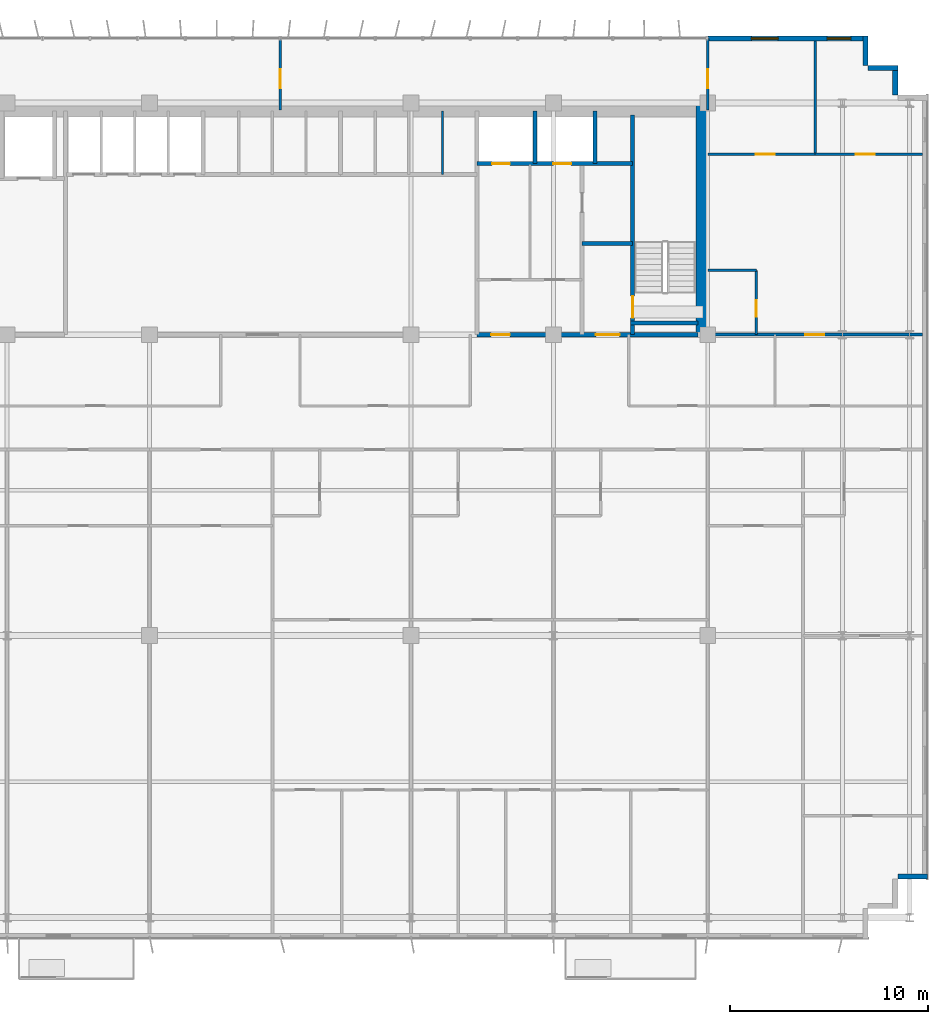
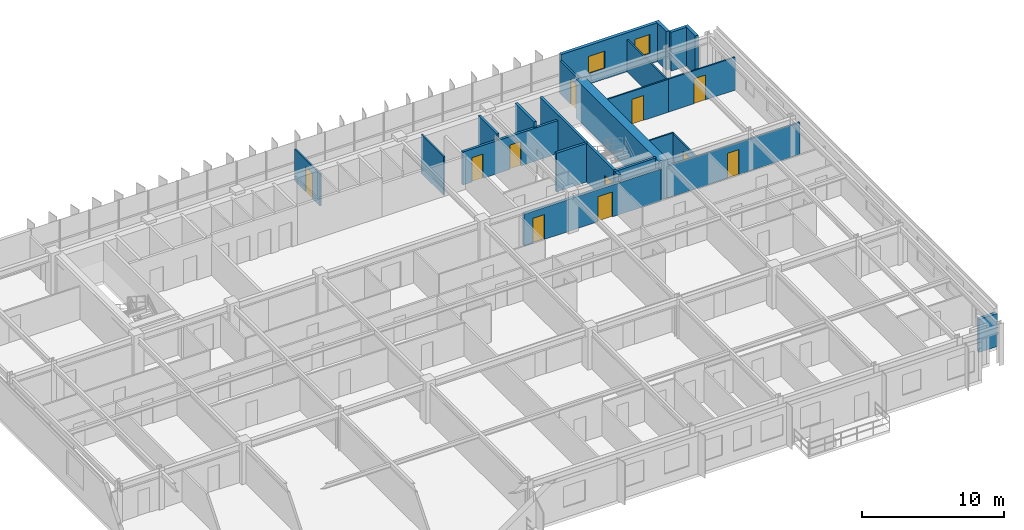
# One storey, part 18 of 22: 22 walls, 11 doors, 2 windows, 13 openings.
"""IFC4 building model written with IfcOpenShell, lengths in metres."""

from ifc_helpers import new_model, si_unit, direction, frame, frame_2d, origin, place, context, subcontext, project, spatial, rectangle, extrude, source, transform, mapped, material, layer, layer_set, type_object, element, fill, save


model = new_model("IFC4")

# Units and contexts
model_context = context("Model", 3, precision=1e-05, world=origin(), true_north=direction((0.0, 1.0)))
body_context = subcontext(model_context, "Body", "Model", "MODEL_VIEW")
ifc_project = project(units=[si_unit("LENGTHUNIT", "METRE"), si_unit("AREAUNIT", "SQUARE_METRE"), si_unit("VOLUMEUNIT", "CUBIC_METRE"), si_unit("PLANEANGLEUNIT", "RADIAN"), si_unit("MASSUNIT", "GRAM", prefix="KILO")], contexts=[model_context])

# Site, building, storey
site_placement = place(None, origin())
site = spatial("IfcSite", under=ifc_project, at=site_placement, CompositionType="ELEMENT")
building_placement = place(site_placement, origin())
building = spatial("IfcBuilding", under=site, at=building_placement, Name="Trelvane Seafront Commons", CompositionType="ELEMENT")
storey_placement = place(building_placement, frame((0.0, 0.0, 85.300048828125)))
storey = spatial("IfcBuildingStorey", under=building, at=storey_placement, Name="L21", CompositionType="ELEMENT", Elevation=85.300048828125)

# Wall, openings, windows
ifc_material_1 = material(Name="Precast concrete C40/50", Category="concrete")
ifc_layer_1 = layer(ifc_material_1, 0.260009765625, Name="ARCH-WALL-EXT260")
ifc_layer_set_1 = layer_set([ifc_layer_1], Name="Precast concrete C40/50")
wall_type_1 = type_object("IfcWallType", Name="ARCH-WALL-EXT260", PredefinedType="SOLIDWALL", material=ifc_layer_set_1)
wall_1_placement = place(storey_placement, frame((58.800048828125, 48.3701171875, 0.0), z_axis=(0.0, 0.0, 1.0), x_axis=(1.0, 0.0, 0.0)))
wall_1 = element("IfcWall", 1, at=wall_1_placement, inside=storey, type_object=wall_type_1, Name="EW-L21-NE-0371", PredefinedType="SOLIDWALL", context=body_context, shape_type="SweptSolid", body=[
    extrude(rectangle(XDim=8.0, YDim=0.260009765625, at=frame_2d((4.0, 0.0))), origin(), (0.0, 0.0, 1.0), 3.33984375),
])
opening_1_placement = place(wall_1_placement, frame((2.208984375, 0.0, 0.89990234375)))
opening_1 = element("IfcOpeningElement", 2, at=opening_1_placement, cuts=wall_1, Name="Opening W09", PredefinedType="OPENING", context=body_context, shape_type="SweptSolid", body=[
    extrude(rectangle(XDim=1.35009765625, YDim=1.5, at=frame_2d((0.675048828125, 0.75))), frame((0.0, 0.139892578125, 0.0), z_axis=(0.0, -1.0, 0.0), x_axis=(1.0, 0.0, 0.0)), (0.0, 0.0, 1.0), 0.280029296875),
])
opening_2_placement = place(wall_1_placement, frame((6.032958984375, 0.0, 0.89990234375)))
opening_2 = element("IfcOpeningElement", 3, at=opening_2_placement, cuts=wall_1, Name="Opening W05", PredefinedType="OPENING", context=body_context, shape_type="SweptSolid", body=[
    extrude(rectangle(XDim=1.199951171875, YDim=1.64990234375, at=frame_2d((0.60009765625, 0.824951171875))), frame((0.0, 0.139892578125, 0.0), z_axis=(0.0, -1.0, 0.0), x_axis=(1.0, 0.0, 0.0)), (0.0, 0.0, 1.0), 0.280029296875),
])
ifc_material_2 = material(Name="Low-E coastal double glazing", Category="glass")
window_type_1 = type_object("IfcWindowType", Name="ARCH-WIN-W09", PartitioningType="SINGLE_PANEL", PredefinedType="WINDOW", material=ifc_material_2)
shared_shape_1 = source(origin(), body_context, "Body", "SweptSolid", [
    extrude(rectangle(XDim=1.35009765625, YDim=1.5, at=frame_2d((0.675048828125, 0.75))), frame((0.0, 0.030029296875, 0.0), z_axis=(0.0, -1.0, 0.0), x_axis=(1.0, 0.0, 0.0)), (0.0, 0.0, 1.0), 0.06005859375),
])
window_1_placement = place(opening_1_placement, origin())
window_1 = element("IfcWindow", 4, at=window_1_placement, inside=storey, type_object=window_type_1, Name="WIN-L21-00423", OverallHeight=1.5, OverallWidth=1.35009765625, PartitioningType="SINGLE_PANEL", PredefinedType="WINDOW", context=body_context, shape_type="MappedRepresentation", body=[
    mapped(shared_shape_1, transform((0.0, 0.0, 0.0), x_axis=(1.0, 0.0, 0.0), y_axis=(0.0, 1.0, 0.0), z_axis=(0.0, 0.0, 1.0), scale=1.0)),
])
fill(opening_1, window_1)
window_type_2 = type_object("IfcWindowType", Name="ARCH-WIN-W05", PartitioningType="SINGLE_PANEL", PredefinedType="WINDOW", material=ifc_material_2)
shared_shape_2 = source(origin(), body_context, "Body", "SweptSolid", [
    extrude(rectangle(XDim=1.199951171875, YDim=1.64990234375, at=frame_2d((0.60009765625, 0.824951171875))), frame((0.0, 0.030029296875, 0.0), z_axis=(0.0, -1.0, 0.0), x_axis=(1.0, 0.0, 0.0)), (0.0, 0.0, 1.0), 0.06005859375),
])
window_2_placement = place(opening_2_placement, origin())
window_2 = element("IfcWindow", 5, at=window_2_placement, inside=storey, type_object=window_type_2, Name="WIN-L21-00424", OverallHeight=1.64990234375, OverallWidth=1.199951171875, PartitioningType="SINGLE_PANEL", PredefinedType="WINDOW", context=body_context, shape_type="MappedRepresentation", body=[
    mapped(shared_shape_2, transform((0.0, 0.0, 0.0), x_axis=(1.0, 0.0, 0.0), y_axis=(0.0, 1.0, 0.0), z_axis=(0.0, 0.0, 1.0), scale=1.0)),
])
fill(opening_2, window_2)

# Walls
for number, where, z_axis, x_axis, name in (
    (6, (66.77001953125, 48.5, 0.0), (0.0, 0.0, 1.0), (0.0, -1.0, 0.0), "EW-L21-00380"),
    (7, (66.89990234375, 46.8701171875, 0.0), (0.0, 0.0, 1.0), (1.0, 0.0, 0.0), "EW-L21-00381"),
    (8, (68.27001953125, 47.0, 0.0), (0.0, 0.0, 1.0), (0.0, -1.0, 0.0), "EW-L21-00382"),
):
    element("IfcWall", number, at=place(storey_placement, frame(where, z_axis=z_axis, x_axis=x_axis)), inside=storey, type_object=wall_type_1, Name=name, PredefinedType="SOLIDWALL", context=body_context, shape_type="SweptSolid", body=[
        extrude(rectangle(XDim=1.5, YDim=0.260009765625, at=frame_2d((0.75, 0.0))), origin(), (0.0, 0.0, 1.0), 3.33984375),
    ])
wall_2_placement = place(storey_placement, frame((69.89990234375, 6.030029296875, 0.0), z_axis=(0.0, 0.0, 1.0), x_axis=(-1.0, 0.0, 0.0)))
element("IfcWall", 9, at=wall_2_placement, inside=storey, type_object=wall_type_1, Name="EW-L21-00385", PredefinedType="SOLIDWALL", context=body_context, shape_type="SweptSolid", body=[
    extrude(rectangle(XDim=1.5, YDim=0.260009765625, at=frame_2d((0.75, 0.0))), origin(), (0.0, 0.0, 1.0), 2.83984375),
])
ifc_material_3 = material(Name="Concrete C40/50", Category="concrete")
ifc_layer_2 = layer(ifc_material_3, 0.199951171875, Name="ARCH-WALL-FIRE200")
ifc_layer_set_2 = layer_set([ifc_layer_2], Name="Concrete C40/50")
wall_type_2 = type_object("IfcWallType", Name="ARCH-WALL-FIRE200", PredefinedType="PARTITIONING", material=ifc_layer_set_2)
wall_3_placement = place(storey_placement, frame((52.449951171875, 38.0, 0.0), z_axis=(0.0, 0.0, 1.0), x_axis=(1.0, 0.0, 0.0)))
element("IfcWall", 10, at=wall_3_placement, inside=storey, type_object=wall_type_2, Name="W-L21-ST2V-N-034", PredefinedType="PARTITIONING", context=body_context, shape_type="SweptSolid", body=[
    extrude(rectangle(XDim=2.550048828125, YDim=0.199951171875, at=frame_2d((1.27490234375, 0.0))), origin(), (0.0, 0.0, 1.0), 3.33984375),
])

# Wall, openings, doors
ifc_layer_3 = layer(ifc_material_3, 0.25, Name="ARCH-WALL-FIRE250")
ifc_layer_set_3 = layer_set([ifc_layer_3], Name="Concrete C40/50")
wall_type_3 = type_object("IfcWallType", Name="ARCH-WALL-FIRE250", PredefinedType="PARTITIONING", material=ifc_layer_set_3)
wall_4_placement = place(storey_placement, frame((47.14990234375, 33.39990234375, 0.0), z_axis=(0.0, 0.0, 1.0), x_axis=(1.0, 0.0, 0.0)))
wall_4 = element("IfcWall", 11, at=wall_4_placement, inside=storey, type_object=wall_type_3, Name="W-L21-CS-EAST-037", PredefinedType="PARTITIONING", context=body_context, shape_type="SweptSolid", body=[
    extrude(rectangle(XDim=11.150146484375, YDim=0.25, at=frame_2d((5.5751953125, 0.0))), origin(), (0.0, 0.0, 1.0), 2.751953125),
])
opening_3_placement = place(wall_4_placement, frame((0.699951171875, 0.0, 0.0)))
opening_3 = element("IfcOpeningElement", 12, at=opening_3_placement, cuts=wall_4, Name="Opening FD-L21-16", PredefinedType="OPENING", context=body_context, shape_type="SweptSolid", body=[
    extrude(rectangle(XDim=0.949951171875, YDim=2.14990234375, at=frame_2d((0.47509765625, 1.074951171875))), frame((0.0, 0.135009765625, 0.0), z_axis=(0.0, -1.0, 0.0), x_axis=(1.0, 0.0, 0.0)), (0.0, 0.0, 1.0), 0.27001953125),
])
opening_4_placement = place(wall_4_placement, frame((6.0, 0.0, 0.0)))
opening_4 = element("IfcOpeningElement", 13, at=opening_4_placement, cuts=wall_4, Name="Opening FD-L21-17", PredefinedType="OPENING", context=body_context, shape_type="SweptSolid", body=[
    extrude(rectangle(XDim=1.199951171875, YDim=2.14990234375, at=frame_2d((0.60009765625, 1.074951171875))), frame((0.0, 0.135009765625, 0.0), z_axis=(0.0, -1.0, 0.0), x_axis=(1.0, 0.0, 0.0)), (0.0, 0.0, 1.0), 0.27001953125),
])
ifc_material_4 = material(Name="Powder-coated aluminium frame", Category="aluminium")
door_type_1 = type_object("IfcDoorType", Name="ARCH-DR-FD60-950", OperationType="NOTDEFINED", PredefinedType="DOOR", material=ifc_material_4)
shared_shape_3 = source(origin(), body_context, "Body", "SweptSolid", [
    extrude(rectangle(XDim=0.949951171875, YDim=2.14990234375, at=frame_2d((0.47509765625, 1.074951171875))), frame((0.0, 0.02490234375, 0.0), z_axis=(0.0, -1.0, 0.0), x_axis=(1.0, 0.0, 0.0)), (0.0, 0.0, 1.0), 0.050048828125),
])
door_1_placement = place(opening_3_placement, origin())
door_1 = element("IfcDoor", 14, at=door_1_placement, inside=storey, type_object=door_type_1, Name="L21 Core Service Lobby Door", OperationType="SINGLE_SWING_RIGHT", OverallHeight=2.14990234375, OverallWidth=0.949951171875, PredefinedType="DOOR", context=body_context, shape_type="MappedRepresentation", body=[
    mapped(shared_shape_3, transform((0.0, 0.0, 0.0), x_axis=(1.0, 0.0, 0.0), y_axis=(0.0, 1.0, 0.0), z_axis=(0.0, 0.0, 1.0), scale=1.0)),
])
fill(opening_3, door_1)
door_type_2 = type_object("IfcDoorType", Name="ARCH-DR-FD60-1200", OperationType="NOTDEFINED", PredefinedType="DOOR", material=ifc_material_4)
shared_shape_4 = source(origin(), body_context, "Body", "SweptSolid", [
    extrude(rectangle(XDim=1.199951171875, YDim=2.14990234375, at=frame_2d((0.60009765625, 1.074951171875))), frame((0.0, 0.02490234375, 0.0), z_axis=(0.0, -1.0, 0.0), x_axis=(1.0, 0.0, 0.0)), (0.0, 0.0, 1.0), 0.050048828125),
])
door_2_placement = place(opening_4_placement, origin())
door_2 = element("IfcDoor", 15, at=door_2_placement, inside=storey, type_object=door_type_2, Name="L21 East Stair Vestibule Fire Door", OperationType="SINGLE_SWING_LEFT", OverallHeight=2.14990234375, OverallWidth=1.199951171875, PredefinedType="DOOR", context=body_context, shape_type="MappedRepresentation", body=[
    mapped(shared_shape_4, transform((0.0, 0.0, 0.0), x_axis=(1.0, 0.0, 0.0), y_axis=(0.0, 1.0, 0.0), z_axis=(0.0, 0.0, 1.0), scale=1.0)),
])
fill(opening_4, door_2)

# Wall
ifc_material_5 = material(Name="Gypsum Drywall Acoustic Partition")
ifc_layer_4 = layer(ifc_material_5, 0.1201171875, Name="ARCH-WALL-PART120")
ifc_layer_set_4 = layer_set([ifc_layer_4], Name="Gypsum Drywall Acoustic Partition")
wall_type_4 = type_object("IfcWallType", Name="ARCH-WALL-PART120", PredefinedType="PARTITIONING", material=ifc_layer_set_4)
wall_5_placement = place(storey_placement, frame((45.39990234375, 41.5, 0.0), z_axis=(0.0, 0.0, 1.0), x_axis=(0.0, 1.0, 0.0)))
element("IfcWall", 16, at=wall_5_placement, inside=storey, type_object=wall_type_4, Name="W-L21-PH-DIV3-027", PredefinedType="PARTITIONING", context=body_context, shape_type="SweptSolid", body=[
    extrude(rectangle(XDim=3.199951171875, YDim=0.1201171875, at=frame_2d((1.60009765625, 0.0))), origin(), (0.0, 0.0, 1.0), 3.33984375),
])

# Wall, opening, door
wall_6_placement = place(storey_placement, frame((61.25, 33.39990234375, 0.0), z_axis=(0.0, 0.0, 1.0), x_axis=(0.0, 1.0, 0.0)))
wall_6 = element("IfcWall", 17, at=wall_6_placement, inside=storey, type_object=wall_type_4, Name="W-L21-NE-BE-051", PredefinedType="PARTITIONING", context=body_context, shape_type="SweptSolid", body=[
    extrude(rectangle(XDim=3.25, YDim=0.1201171875, at=frame_2d((1.625, 0.0))), origin(), (0.0, 0.0, 1.0), 2.751953125),
])
opening_5_placement = place(wall_6_placement, frame((0.89990234375, 0.0, 0.0)))
opening_5 = element("IfcOpeningElement", 18, at=opening_5_placement, cuts=wall_6, Name="Opening D-L21-25", PredefinedType="OPENING", context=body_context, shape_type="SweptSolid", body=[
    extrude(rectangle(XDim=0.85009765625, YDim=2.10009765625, at=frame_2d((0.425048828125, 1.050048828125))), frame((0.0, 0.070068359375, 0.0), z_axis=(0.0, -1.0, 0.0), x_axis=(1.0, 0.0, 0.0)), (0.0, 0.0, 1.0), 0.14013671875),
])
ifc_material_6 = material(Name="Acoustic timber door leaf", Category="wood")
door_type_3 = type_object("IfcDoorType", Name="ARCH-DR-INT850", OperationType="NOTDEFINED", PredefinedType="DOOR", material=ifc_material_6)
shared_shape_5 = source(origin(), body_context, "Body", "SweptSolid", [
    extrude(rectangle(XDim=0.85009765625, YDim=2.10009765625, at=frame_2d((0.425048828125, 1.050048828125))), frame((0.0, 0.02490234375, 0.0), z_axis=(0.0, -1.0, 0.0), x_axis=(1.0, 0.0, 0.0)), (0.0, 0.0, 1.0), 0.050048828125),
])
door_3_placement = place(opening_5_placement, origin())
door_3 = element("IfcDoor", 19, at=door_3_placement, inside=storey, type_object=door_type_3, Name="L21 Door 25", OperationType="SINGLE_SWING_LEFT", OverallHeight=2.10009765625, OverallWidth=0.85009765625, PredefinedType="DOOR", context=body_context, shape_type="MappedRepresentation", body=[
    mapped(shared_shape_5, transform((0.0, 0.0, 0.0), x_axis=(1.0, 0.0, 0.0), y_axis=(0.0, 1.0, 0.0), z_axis=(0.0, 0.0, 1.0), scale=1.0)),
])
fill(opening_5, door_3)

# Wall
wall_7_placement = place(storey_placement, frame((58.800048828125, 36.64990234375, 0.0), z_axis=(0.0, 0.0, 1.0), x_axis=(1.0, 0.0, 0.0)))
element("IfcWall", 20, at=wall_7_placement, inside=storey, type_object=wall_type_4, Name="W-L21-NE-BN-052", PredefinedType="PARTITIONING", context=body_context, shape_type="SweptSolid", body=[
    extrude(rectangle(XDim=2.449951171875, YDim=0.1201171875, at=frame_2d((1.22509765625, 0.0))), origin(), (0.0, 0.0, 1.0), 2.83984375),
])

# Wall, opening, door
wall_8_placement = place(storey_placement, frame((58.800048828125, 42.52001953125, 0.0), z_axis=(0.0, 0.0, 1.0), x_axis=(1.0, 0.0, 0.0)))
wall_8 = element("IfcWall", 21, at=wall_8_placement, inside=storey, type_object=wall_type_4, Name="W-L21-NE-KB1-053", PredefinedType="PARTITIONING", context=body_context, shape_type="SweptSolid", body=[
    extrude(rectangle(XDim=5.425048828125, YDim=0.1201171875, at=frame_2d((2.71240234375, 0.0))), origin(), (0.0, 0.0, 1.0), 2.83984375),
])
opening_6_placement = place(wall_8_placement, frame((2.423095703125, 0.0, 0.0)))
opening_6 = element("IfcOpeningElement", 22, at=opening_6_placement, cuts=wall_8, Name="Opening D-L21-26", PredefinedType="OPENING", context=body_context, shape_type="SweptSolid", body=[
    extrude(rectangle(XDim=0.949951171875, YDim=2.14990234375, at=frame_2d((0.47509765625, 1.074951171875))), frame((0.0, 0.070068359375, 0.0), z_axis=(0.0, -1.0, 0.0), x_axis=(1.0, 0.0, 0.0)), (0.0, 0.0, 1.0), 0.14013671875),
])
door_type_4 = type_object("IfcDoorType", Name="ARCH-DR-INT950", OperationType="NOTDEFINED", PredefinedType="DOOR", material=ifc_material_6)
door_4_placement = place(opening_6_placement, origin())
door_4 = element("IfcDoor", 23, at=door_4_placement, inside=storey, type_object=door_type_4, Name="L21 Door 26", OperationType="SINGLE_SWING_RIGHT", OverallHeight=2.14990234375, OverallWidth=0.949951171875, PredefinedType="DOOR", context=body_context, shape_type="MappedRepresentation", body=[
    mapped(shared_shape_3, transform((0.0, 0.0, 0.0), x_axis=(1.0, 0.0, 0.0), y_axis=(0.0, 1.0, 0.0), z_axis=(0.0, 0.0, 1.0), scale=1.0)),
])
fill(opening_6, door_4)

wall_9_placement = place(storey_placement, frame((64.22509765625, 42.52001953125, 0.0), z_axis=(0.0, 0.0, 1.0), x_axis=(1.0, 0.0, 0.0)))
wall_9 = element("IfcWall", 24, at=wall_9_placement, inside=storey, type_object=wall_type_4, Name="W-L21-NE-KB2-054", PredefinedType="PARTITIONING", context=body_context, shape_type="SweptSolid", body=[
    extrude(rectangle(XDim=5.4248046875, YDim=0.1201171875, at=frame_2d((2.71240234375, 0.0))), origin(), (0.0, 0.0, 1.0), 2.83984375),
])
opening_7_placement = place(wall_9_placement, frame((2.052001953125, 0.0, 0.0)))
opening_7 = element("IfcOpeningElement", 25, at=opening_7_placement, cuts=wall_9, Name="Opening D-L21-27", PredefinedType="OPENING", context=body_context, shape_type="SweptSolid", body=[
    extrude(rectangle(XDim=0.949951171875, YDim=2.14990234375, at=frame_2d((0.47509765625, 1.074951171875))), frame((0.0, 0.070068359375, 0.0), z_axis=(0.0, -1.0, 0.0), x_axis=(1.0, 0.0, 0.0)), (0.0, 0.0, 1.0), 0.14013671875),
])
door_5_placement = place(opening_7_placement, origin())
door_5 = element("IfcDoor", 26, at=door_5_placement, inside=storey, type_object=door_type_4, Name="L21 Door 27", OperationType="SINGLE_SWING_LEFT", OverallHeight=2.14990234375, OverallWidth=0.949951171875, PredefinedType="DOOR", context=body_context, shape_type="MappedRepresentation", body=[
    mapped(shared_shape_3, transform((0.0, 0.0, 0.0), x_axis=(1.0, 0.0, 0.0), y_axis=(0.0, 1.0, 0.0), z_axis=(0.0, 0.0, 1.0), scale=1.0)),
])
fill(opening_7, door_5)

# Wall
wall_10_placement = place(storey_placement, frame((64.22509765625, 42.52001953125, 0.0), z_axis=(0.0, 0.0, 1.0), x_axis=(0.0, 1.0, 0.0)))
element("IfcWall", 27, at=wall_10_placement, inside=storey, type_object=wall_type_4, Name="W-L21-NE-KBDV-055", PredefinedType="PARTITIONING", context=body_context, shape_type="SweptSolid", body=[
    extrude(rectangle(XDim=5.719970703125, YDim=0.1201171875, at=frame_2d((2.85986328125, 0.0))), origin(), (0.0, 0.0, 1.0), 2.751953125),
])

# Wall, opening, door
wall_11_placement = place(storey_placement, frame((37.199951171875, 44.75, 0.0), z_axis=(0.0, 0.0, 1.0), x_axis=(0.0, 1.0, 0.0)))
wall_11 = element("IfcWall", 28, at=wall_11_placement, inside=storey, type_object=wall_type_4, Name="W-L21-N-MID-DV-057", PredefinedType="PARTITIONING", context=body_context, shape_type="SweptSolid", body=[
    extrude(rectangle(XDim=3.610107421875, YDim=0.1201171875, at=frame_2d((1.80517578125, 0.0))), origin(), (0.0, 0.0, 1.0), 2.751953125),
])
opening_8_placement = place(wall_11_placement, frame((1.10009765625, 0.0, 0.0)))
opening_8 = element("IfcOpeningElement", 29, at=opening_8_placement, cuts=wall_11, Name="Opening D-L21-29", PredefinedType="OPENING", context=body_context, shape_type="SweptSolid", body=[
    extrude(rectangle(XDim=0.949951171875, YDim=2.14990234375, at=frame_2d((0.47509765625, 1.074951171875))), frame((0.0, 0.070068359375, 0.0), z_axis=(0.0, -1.0, 0.0), x_axis=(1.0, 0.0, 0.0)), (0.0, 0.0, 1.0), 0.14013671875),
])
door_6_placement = place(opening_8_placement, origin())
door_6 = element("IfcDoor", 30, at=door_6_placement, inside=storey, type_object=door_type_4, Name="L21 Door 29", OperationType="SINGLE_SWING_LEFT", OverallHeight=2.14990234375, OverallWidth=0.949951171875, PredefinedType="DOOR", context=body_context, shape_type="MappedRepresentation", body=[
    mapped(shared_shape_3, transform((0.0, 0.0, 0.0), x_axis=(1.0, 0.0, 0.0), y_axis=(0.0, 1.0, 0.0), z_axis=(0.0, 0.0, 1.0), scale=1.0)),
])
fill(opening_8, door_6)

ifc_layer_5 = layer(ifc_material_5, 0.14990234375, Name="ARCH-WALL-PART150")
ifc_layer_set_5 = layer_set([ifc_layer_5], Name="Gypsum Drywall Acoustic Partition")
wall_type_5 = type_object("IfcWallType", Name="ARCH-WALL-PART150", PredefinedType="PARTITIONING", material=ifc_layer_set_5)
wall_12_placement = place(storey_placement, frame((58.800048828125, 33.39990234375, 0.0), z_axis=(0.0, 0.0, 1.0), x_axis=(1.0, 0.0, 0.0)))
wall_12 = element("IfcWall", 31, at=wall_12_placement, inside=storey, type_object=wall_type_5, Name="W-L21-NE-ENT-056", PredefinedType="PARTITIONING", context=body_context, shape_type="SweptSolid", body=[
    extrude(rectangle(XDim=10.849853515625, YDim=0.14990234375, at=frame_2d((5.4248046875, 0.0))), origin(), (0.0, 0.0, 1.0), 2.751953125),
])
opening_9_placement = place(wall_12_placement, frame((4.93310546875, 0.0, 0.0)))
opening_9 = element("IfcOpeningElement", 32, at=opening_9_placement, cuts=wall_12, Name="Opening FD-L21-28", PredefinedType="OPENING", context=body_context, shape_type="SweptSolid", body=[
    extrude(rectangle(XDim=0.949951171875, YDim=2.14990234375, at=frame_2d((0.47509765625, 1.074951171875))), frame((0.0, 0.0849609375, 0.0), z_axis=(0.0, -1.0, 0.0), x_axis=(1.0, 0.0, 0.0)), (0.0, 0.0, 1.0), 0.169921875),
])
door_7_placement = place(opening_9_placement, origin())
door_7 = element("IfcDoor", 33, at=door_7_placement, inside=storey, type_object=door_type_1, Name="L21 NE Flat Entrance Door", OperationType="SINGLE_SWING_RIGHT", OverallHeight=2.14990234375, OverallWidth=0.949951171875, PredefinedType="DOOR", context=body_context, shape_type="MappedRepresentation", body=[
    mapped(shared_shape_3, transform((0.0, 0.0, 0.0), x_axis=(1.0, 0.0, 0.0), y_axis=(0.0, 1.0, 0.0), z_axis=(0.0, 0.0, 1.0), scale=1.0)),
])
fill(opening_9, door_7)

wall_13_placement = place(storey_placement, frame((58.800048828125, 44.75, 0.0), z_axis=(0.0, 0.0, 1.0), x_axis=(0.0, 1.0, 0.0)))
wall_13 = element("IfcWall", 34, at=wall_13_placement, inside=storey, type_object=wall_type_5, Name="W-L21-N-LINK-E-059", PredefinedType="PARTITIONING", context=body_context, shape_type="SweptSolid", body=[
    extrude(rectangle(XDim=3.610107421875, YDim=0.14990234375, at=frame_2d((1.80517578125, 0.0))), origin(), (0.0, 0.0, 1.0), 2.83984375),
])
opening_10_placement = place(wall_13_placement, frame((1.10009765625, 0.0, 0.0)))
opening_10 = element("IfcOpeningElement", 35, at=opening_10_placement, cuts=wall_13, Name="Opening FD-L21-31", PredefinedType="OPENING", context=body_context, shape_type="SweptSolid", body=[
    extrude(rectangle(XDim=0.949951171875, YDim=2.14990234375, at=frame_2d((0.47509765625, 1.074951171875))), frame((0.0, 0.0849609375, 0.0), z_axis=(0.0, -1.0, 0.0), x_axis=(1.0, 0.0, 0.0)), (0.0, 0.0, 1.0), 0.169921875),
])
door_8_placement = place(opening_10_placement, origin())
door_8 = element("IfcDoor", 36, at=door_8_placement, inside=storey, type_object=door_type_1, Name="L21 Door 31", OperationType="SINGLE_SWING_LEFT", OverallHeight=2.14990234375, OverallWidth=0.949951171875, PredefinedType="DOOR", context=body_context, shape_type="MappedRepresentation", body=[
    mapped(shared_shape_3, transform((0.0, 0.0, 0.0), x_axis=(1.0, 0.0, 0.0), y_axis=(0.0, 1.0, 0.0), z_axis=(0.0, 0.0, 1.0), scale=1.0)),
])
fill(opening_10, door_8)

# Wall, openings, doors
ifc_layer_6 = layer(ifc_material_3, 0.199951171875, Name="ARCH-WALL-SHAFT200")
ifc_layer_set_6 = layer_set([ifc_layer_6], Name="Concrete C40/50")
wall_type_6 = type_object("IfcWallType", Name="ARCH-WALL-SHAFT200", PredefinedType="SOLIDWALL", material=ifc_layer_set_6)
wall_14_placement = place(storey_placement, frame((47.14990234375, 42.050048828125, 0.0), z_axis=(0.0, 0.0, 1.0), x_axis=(1.0, 0.0, 0.0)))
wall_14 = element("IfcWall", 37, at=wall_14_placement, inside=storey, type_object=wall_type_6, Name="W-L21-RSR-S-030", PredefinedType="SOLIDWALL", context=body_context, shape_type="SweptSolid", body=[
    extrude(rectangle(XDim=7.85009765625, YDim=0.199951171875, at=frame_2d((3.925048828125, 0.0))), origin(), (0.0, 0.0, 1.0), 2.83984375),
])
opening_11_placement = place(wall_14_placement, frame((0.75, 0.0, 0.0)))
opening_11 = element("IfcOpeningElement", 38, at=opening_11_placement, cuts=wall_14, Name="Opening FD-L21-11", PredefinedType="OPENING", context=body_context, shape_type="SweptSolid", body=[
    extrude(rectangle(XDim=0.89990234375, YDim=2.10009765625, at=frame_2d((0.449951171875, 1.050048828125))), frame((0.0, 0.10986328125, 0.0), z_axis=(0.0, -1.0, 0.0), x_axis=(1.0, 0.0, 0.0)), (0.0, 0.0, 1.0), 0.219970703125),
])
opening_12_placement = place(wall_14_placement, frame((3.85009765625, 0.0, 0.0)))
opening_12 = element("IfcOpeningElement", 39, at=opening_12_placement, cuts=wall_14, Name="Opening FD-L21-12", PredefinedType="OPENING", context=body_context, shape_type="SweptSolid", body=[
    extrude(rectangle(XDim=0.89990234375, YDim=2.10009765625, at=frame_2d((0.449951171875, 1.050048828125))), frame((0.0, 0.10986328125, 0.0), z_axis=(0.0, -1.0, 0.0), x_axis=(1.0, 0.0, 0.0)), (0.0, 0.0, 1.0), 0.219970703125),
])
door_type_5 = type_object("IfcDoorType", Name="ARCH-DR-FD60-900", OperationType="NOTDEFINED", PredefinedType="DOOR", material=ifc_material_4)
shared_shape_6 = source(origin(), body_context, "Body", "SweptSolid", [
    extrude(rectangle(XDim=0.89990234375, YDim=2.10009765625, at=frame_2d((0.449951171875, 1.050048828125))), frame((0.0, 0.02490234375, 0.0), z_axis=(0.0, -1.0, 0.0), x_axis=(1.0, 0.0, 0.0)), (0.0, 0.0, 1.0), 0.050048828125),
])
door_9_placement = place(opening_11_placement, origin())
door_9 = element("IfcDoor", 40, at=door_9_placement, inside=storey, type_object=door_type_5, Name="L21 Electrical Riser Access Door", OperationType="SINGLE_SWING_LEFT", OverallHeight=2.10009765625, OverallWidth=0.89990234375, PredefinedType="DOOR", context=body_context, shape_type="MappedRepresentation", body=[
    mapped(shared_shape_6, transform((0.0, 0.0, 0.0), x_axis=(1.0, 0.0, 0.0), y_axis=(0.0, 1.0, 0.0), z_axis=(0.0, 0.0, 1.0), scale=1.0)),
])
fill(opening_11, door_9)
door_10_placement = place(opening_12_placement, origin())
door_10 = element("IfcDoor", 41, at=door_10_placement, inside=storey, type_object=door_type_5, Name="L21 Mechanical Riser Access Door", OperationType="SINGLE_SWING_RIGHT", OverallHeight=2.10009765625, OverallWidth=0.89990234375, PredefinedType="DOOR", context=body_context, shape_type="MappedRepresentation", body=[
    mapped(shared_shape_6, transform((0.0, 0.0, 0.0), x_axis=(1.0, 0.0, 0.0), y_axis=(0.0, 1.0, 0.0), z_axis=(0.0, 0.0, 1.0), scale=1.0)),
])
fill(opening_12, door_10)

# Walls
for number, where, z_axis, x_axis, name in (
    (42, (50.080078125, 42.050048828125, 0.0), (0.0, 0.0, 1.0), (0.0, 1.0, 0.0), "W-L21-RSR-DIV-031"),
    (43, (53.10009765625, 42.050048828125, 0.0), (0.0, 0.0, 1.0), (0.0, 1.0, 0.0), "W-L21-RSR-E-032"),
):
    element("IfcWall", number, at=place(storey_placement, frame(where, z_axis=z_axis, x_axis=x_axis)), inside=storey, type_object=wall_type_6, Name=name, PredefinedType="SOLIDWALL", context=body_context, shape_type="SweptSolid", body=[
        extrude(rectangle(XDim=2.64990234375, YDim=0.199951171875, at=frame_2d((1.324951171875, 0.0))), origin(), (0.0, 0.0, 1.0), 3.33984375),
    ])
ifc_material_7 = material(Name="Concrete C60/75", Category="concrete")
ifc_layer_7 = layer(ifc_material_7, 0.699951171875, Name="STR-WALL-CORE700")
ifc_layer_set_7 = layer_set([ifc_layer_7], Name="Concrete C60/75")
wall_type_7 = type_object("IfcWallType", Name="STR-WALL-CORE700", PredefinedType="SHEAR", material=ifc_layer_set_7)
wall_15_placement = place(storey_placement, frame((58.550048828125, 33.39990234375, 0.0), z_axis=(0.0, 0.0, 1.0), x_axis=(0.0, 1.0, 0.0)))
element("IfcWall", 44, at=wall_15_placement, inside=storey, type_object=wall_type_7, Name="W-L21-CE-END-003", PredefinedType="SHEAR", context=body_context, shape_type="SweptSolid", body=[
    extrude(rectangle(XDim=11.7001953125, YDim=0.699951171875, at=frame_2d((5.85009765625, 0.0))), origin(), (0.0, 0.0, 1.0), 3.33984375),
])
ifc_material_8 = material(Name="Concrete C50/60", Category="concrete")
ifc_layer_8 = layer(ifc_material_8, 0.199951171875, Name="STR-WALL-STAIR200")
ifc_layer_set_8 = layer_set([ifc_layer_8], Name="Concrete C50/60")
wall_type_8 = type_object("IfcWallType", Name="STR-WALL-STAIR200", PredefinedType="SHEAR", material=ifc_layer_set_8)
wall_16_placement = place(storey_placement, frame((54.89990234375, 34.0, 0.0), z_axis=(0.0, 0.0, 1.0), x_axis=(1.0, 0.0, 0.0)))
element("IfcWall", 45, at=wall_16_placement, inside=storey, type_object=wall_type_8, Name="W-L21-ST2-S-006", PredefinedType="SHEAR", context=body_context, shape_type="SweptSolid", body=[
    extrude(rectangle(XDim=3.400146484375, YDim=0.199951171875, at=frame_2d((1.7001953125, 0.0))), origin(), (0.0, 0.0, 1.0), 3.33984375),
])

# Wall, opening, door
wall_17_placement = place(storey_placement, frame((55.0, 33.39990234375, 0.0), z_axis=(0.0, 0.0, 1.0), x_axis=(0.0, 1.0, 0.0)))
wall_17 = element("IfcWall", 46, at=wall_17_placement, inside=storey, type_object=wall_type_8, Name="W-L21-ST2-W-007", PredefinedType="SHEAR", context=body_context, shape_type="SweptSolid", body=[
    extrude(rectangle(XDim=11.10009765625, YDim=0.199951171875, at=frame_2d((5.550048828125, 0.0))), origin(), (0.0, 0.0, 1.0), 3.33984375),
])
opening_13_placement = place(wall_17_placement, frame((0.85009765625, 0.0, 0.0)))
opening_13 = element("IfcOpeningElement", 47, at=opening_13_placement, cuts=wall_17, Name="Opening ST-D2-L21", PredefinedType="OPENING", context=body_context, shape_type="SweptSolid", body=[
    extrude(rectangle(XDim=1.10009765625, YDim=2.14990234375, at=frame_2d((0.550048828125, 1.074951171875))), frame((0.0, 0.10986328125, 0.0), z_axis=(0.0, -1.0, 0.0), x_axis=(1.0, 0.0, 0.0)), (0.0, 0.0, 1.0), 0.219970703125),
])
door_type_6 = type_object("IfcDoorType", Name="ARCH-DR-FD90-1100", OperationType="NOTDEFINED", PredefinedType="DOOR", material=ifc_material_4)
shared_shape_7 = source(origin(), body_context, "Body", "SweptSolid", [
    extrude(rectangle(XDim=1.10009765625, YDim=2.14990234375, at=frame_2d((0.550048828125, 1.074951171875))), frame((0.0, 0.02490234375, 0.0), z_axis=(0.0, -1.0, 0.0), x_axis=(1.0, 0.0, 0.0)), (0.0, 0.0, 1.0), 0.050048828125),
])
door_11_placement = place(opening_13_placement, origin())
door_11 = element("IfcDoor", 48, at=door_11_placement, inside=storey, type_object=door_type_6, Name="L21 Stair ST-2 Vestibule Fire Door", OperationType="SINGLE_SWING_RIGHT", OverallHeight=2.14990234375, OverallWidth=1.10009765625, PredefinedType="DOOR", context=body_context, shape_type="MappedRepresentation", body=[
    mapped(shared_shape_7, transform((0.0, 0.0, 0.0), x_axis=(1.0, 0.0, 0.0), y_axis=(0.0, 1.0, 0.0), z_axis=(0.0, 0.0, 1.0), scale=1.0)),
])
fill(opening_13, door_11)

save(model, "model.ifc")
